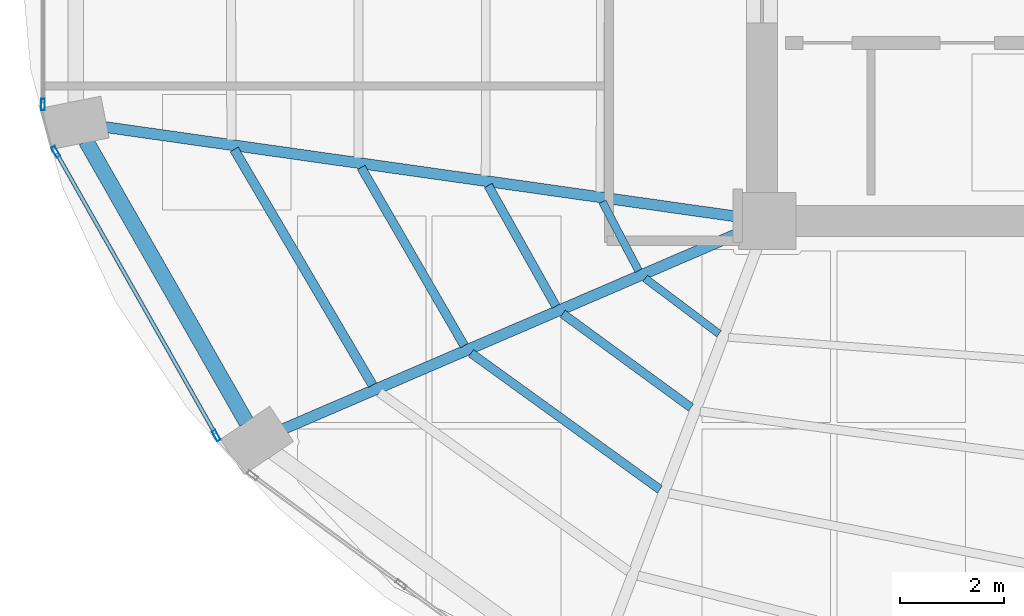
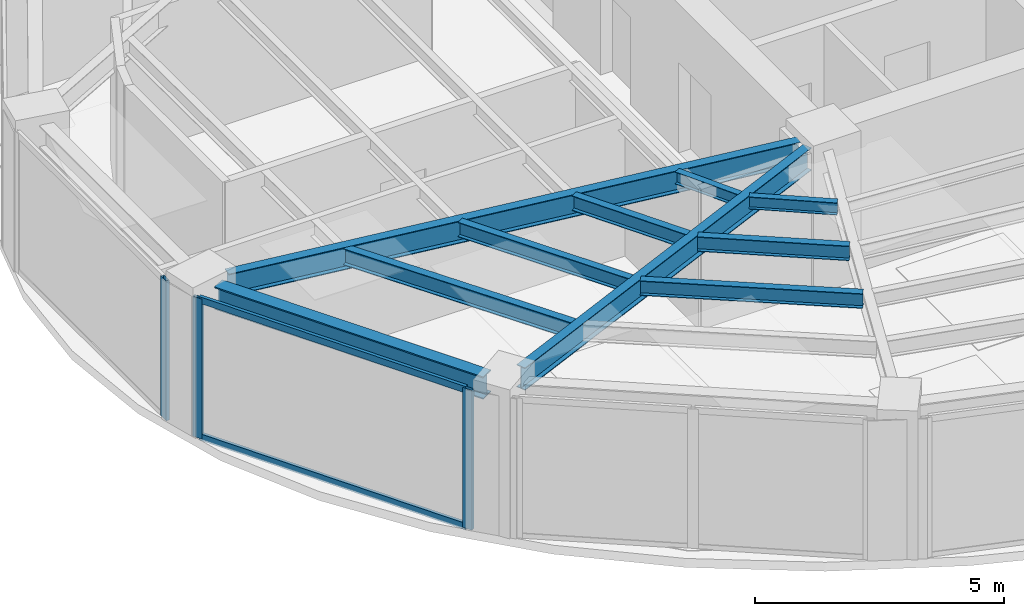
# One storey, part 3 of 19: 10 beams, 5 members, 2 elements without a shape of their own.
"""IFC4 building model written with IfcOpenShell, lengths in metres."""

from ifc_helpers import new_model, si_unit, direction, frame, origin, origin_2d, place, context, subcontext, project, spatial, hollow_rectangle, i_section, extrude, material, layer, layer_set, material_profile, profile_set, type_object, element, aggregate, save


model = new_model("IFC4")

# Units and contexts
model_context = context("Model", 3, precision=1e-05, world=origin(), true_north=direction((0.0, 1.0)))
body_context = subcontext(model_context, "Body", "Model", "MODEL_VIEW")
ifc_project = project(units=[si_unit("LENGTHUNIT", "METRE"), si_unit("AREAUNIT", "SQUARE_METRE"), si_unit("VOLUMEUNIT", "CUBIC_METRE"), si_unit("PLANEANGLEUNIT", "RADIAN"), si_unit("MASSUNIT", "GRAM", prefix="KILO")], contexts=[model_context])

# Site, building, storey
site_placement = place(None, origin())
site = spatial("IfcSite", under=ifc_project, at=site_placement, CompositionType="ELEMENT")
building_placement = place(site_placement, origin())
building = spatial("IfcBuilding", under=site, at=building_placement, Name="Lazwardi Medical Tower", CompositionType="ELEMENT")
storey_placement = place(building_placement, frame((0.0, 0.0, 163.823974609375)))
storey = spatial("IfcBuildingStorey", under=building, at=storey_placement, Name="L42", CompositionType="ELEMENT", Elevation=163.823974609375)

# Beams
ifc_material_1 = material(Name="Steel S355", Category="steel")
ifc_material_profile_1 = material_profile(ifc_material_1, i_section(OverallWidth=0.300048828125, OverallDepth=0.550048828125, WebThickness=0.014892578125, FlangeThickness=0.029052734375, at=origin_2d()), Name="HEB 550")
ifc_profile_set_1 = profile_set([ifc_material_profile_1], Name="Steel S355")
beam_type_1 = type_object("IfcBeamType", Name="BM-RB-Z3", PredefinedType="BEAM", material=ifc_profile_set_1)
beam_1_placement = place(storey_placement, frame((13.272216796875, 21.94091796875, 3.153076171875), z_axis=(0.495460926326, -0.868630226554, 0.0), x_axis=(0.868630226554, 0.495460926326, 0.0)))
element("IfcBeam", 1, at=beam_1_placement, inside=storey, type_object=beam_type_1, Name="Ring beam RB-04 B13 L42", PredefinedType="BEAM", context=body_context, shape_type="SweptSolid", body=[
    extrude(i_section(OverallWidth=0.300048828125, OverallDepth=0.550048828125, WebThickness=0.014892578125, FlangeThickness=0.029052734375, at=origin_2d()), origin(), (0.0, 0.0, 1.0), 6.24462890625),
])
ifc_material_profile_2 = material_profile(ifc_material_1, i_section(OverallWidth=0.2099609375, OverallDepth=0.550048828125, WebThickness=0.010986328125, FlangeThickness=0.01708984375, at=origin_2d()), Name="IPE 550")
ifc_profile_set_2 = profile_set([ifc_material_profile_2], Name="Steel S355")
beam_type_2 = type_object("IfcBeamType", Name="BM-RG-W2", PredefinedType="BEAM", material=ifc_profile_set_2)
beam_2_placement = place(storey_placement, frame((13.628662109375, 22.209716796875, 3.153076171875), z_axis=(0.99010958763, -0.140296131389, 0.0), x_axis=(0.140296131389, 0.99010958763, 0.0)))
element("IfcBeam", 2, at=beam_2_placement, inside=storey, type_object=beam_type_2, Name="Radial girder RG-03 R13 L42", PredefinedType="BEAM", context=body_context, shape_type="SweptSolid", body=[
    extrude(i_section(OverallWidth=0.2099609375, OverallDepth=0.550048828125, WebThickness=0.010986328125, FlangeThickness=0.01708984375, at=origin_2d()), origin(), (0.0, 0.0, 1.0), 12.364013671875),
])
beam_3_placement = place(storey_placement, frame((17.078857421875, 16.390380859375, 3.153076171875), z_axis=(0.918608156288, 0.395169653695, 0.0), x_axis=(-0.395169653695, 0.918608156288, 0.0)))
element("IfcBeam", 3, at=beam_3_placement, inside=storey, type_object=beam_type_2, Name="Radial girder RG-03 R14 L42", PredefinedType="BEAM", context=body_context, shape_type="SweptSolid", body=[
    extrude(i_section(OverallWidth=0.2099609375, OverallDepth=0.550048828125, WebThickness=0.010986328125, FlangeThickness=0.01708984375, at=origin_2d()), origin(), (0.0, 0.0, 1.0), 9.61181640625),
])
ifc_material_profile_3 = material_profile(ifc_material_1, i_section(OverallWidth=0.179931640625, OverallDepth=0.39990234375, WebThickness=0.008544921875, FlangeThickness=0.013427734375, at=origin_2d()), Name="IPE 400")
ifc_profile_set_3 = profile_set([ifc_material_profile_3], Name="Steel S355")
beam_type_3 = type_object("IfcBeamType", Name="BM-SJ-01", PredefinedType="JOIST", material=ifc_profile_set_3)
beam_4_placement = place(storey_placement, frame((16.127685546875, 21.776611328125, 3.22802734375), z_axis=(0.506420212881, -0.862286824662, 0.0), x_axis=(0.862286824662, 0.506420212881, 0.0)))
element("IfcBeam", 4, at=beam_4_placement, inside=storey, type_object=beam_type_3, Name="Secondary joist SJ-01 R1 B13 L42", PredefinedType="JOIST", context=body_context, shape_type="SweptSolid", body=[
    extrude(i_section(OverallWidth=0.179931640625, OverallDepth=0.39990234375, WebThickness=0.008544921875, FlangeThickness=0.013427734375, at=origin_2d()), origin(), (0.0, 0.0, 1.0), 5.265380859375),
])
ifc_material_profile_4 = material_profile(ifc_material_1, i_section(OverallWidth=0.169921875, OverallDepth=0.360107421875, WebThickness=0.008056640625, FlangeThickness=0.0126953125, at=origin_2d()), Name="IPE 360")
ifc_profile_set_4 = profile_set([ifc_material_profile_4], Name="Steel S355")
beam_type_4 = type_object("IfcBeamType", Name="BM-SJ-02", PredefinedType="JOIST", material=ifc_profile_set_4)
beam_5_placement = place(storey_placement, frame((18.5751953125, 21.42919921875, 3.248046875), z_axis=(0.500640648605, -0.865655209055, 0.0), x_axis=(0.865655209055, 0.500640648605, 0.0)))
element("IfcBeam", 5, at=beam_5_placement, inside=storey, type_object=beam_type_4, Name="Secondary joist SJ-02 R2 B13 L42", PredefinedType="JOIST", context=body_context, shape_type="SweptSolid", body=[
    extrude(i_section(OverallWidth=0.169921875, OverallDepth=0.360107421875, WebThickness=0.008056640625, FlangeThickness=0.0126953125, at=origin_2d()), origin(), (0.0, 0.0, 1.0), 3.965576171875),
])
beam_6_placement = place(storey_placement, frame((20.69189453125, 17.851318359375, 3.248046875), z_axis=(0.810738039179, -0.585409114917, 0.0), x_axis=(0.585409114917, 0.810738039179, 0.0)))
element("IfcBeam", 6, at=beam_6_placement, inside=storey, type_object=beam_type_4, Name="Secondary joist SJ-02 R2 B14 L42", PredefinedType="JOIST", context=body_context, shape_type="SweptSolid", body=[
    extrude(i_section(OverallWidth=0.169921875, OverallDepth=0.360107421875, WebThickness=0.008056640625, FlangeThickness=0.0126953125, at=origin_2d()), origin(), (0.0, 0.0, 1.0), 4.48779296875),
])
beam_7_placement = place(storey_placement, frame((21.022705078125, 21.081787109375, 3.248046875), z_axis=(0.489408945026, -0.872054404569, 0.0), x_axis=(0.872054404569, 0.489408945026, 0.0)))
element("IfcBeam", 7, at=beam_7_placement, inside=storey, type_object=beam_type_4, Name="Secondary joist SJ-02 R3 B13 L42", PredefinedType="JOIST", context=body_context, shape_type="SweptSolid", body=[
    extrude(i_section(OverallWidth=0.169921875, OverallDepth=0.360107421875, WebThickness=0.008056640625, FlangeThickness=0.0126953125, at=origin_2d()), origin(), (0.0, 0.0, 1.0), 2.666259765625),
])
beam_8_placement = place(storey_placement, frame((22.45751953125, 18.6103515625, 3.248046875), z_axis=(0.807285959008, -0.590160470033, 0.0), x_axis=(0.590160470033, 0.807285959008, 0.0)))
element("IfcBeam", 8, at=beam_8_placement, inside=storey, type_object=beam_type_4, Name="Secondary joist SJ-02 R3 B14 L42", PredefinedType="JOIST", context=body_context, shape_type="SweptSolid", body=[
    extrude(i_section(OverallWidth=0.169921875, OverallDepth=0.360107421875, WebThickness=0.008056640625, FlangeThickness=0.0126953125, at=origin_2d()), origin(), (0.0, 0.0, 1.0), 3.06298828125),
])
ifc_material_profile_5 = material_profile(ifc_material_1, i_section(OverallWidth=0.14990234375, OverallDepth=0.300048828125, WebThickness=0.007080078125, FlangeThickness=0.0107421875, at=origin_2d()), Name="IPE 300")
ifc_profile_set_5 = profile_set([ifc_material_profile_5], Name="Steel S355")
beam_type_5 = type_object("IfcBeamType", Name="BM-SJ-03", PredefinedType="JOIST", material=ifc_profile_set_5)
beam_9_placement = place(storey_placement, frame((23.2236328125, 20.768310546875, 3.278076171875), z_axis=(0.464469748171, -0.885588986513, 0.0), x_axis=(0.885588986513, 0.464469748171, 0.0)))
element("IfcBeam", 9, at=beam_9_placement, inside=storey, type_object=beam_type_5, Name="Secondary joist SJ-03 R4 B13 L42", PredefinedType="JOIST", context=body_context, shape_type="SweptSolid", body=[
    extrude(i_section(OverallWidth=0.14990234375, OverallDepth=0.300048828125, WebThickness=0.007080078125, FlangeThickness=0.0107421875, at=origin_2d()), origin(), (0.0, 0.0, 1.0), 1.498046875),
])
beam_10_placement = place(storey_placement, frame((24.0458984375, 19.29296875, 3.278076171875), z_axis=(0.799884834751, -0.600153522972, 0.0), x_axis=(0.600153522972, 0.799884834751, 0.0)))
element("IfcBeam", 10, at=beam_10_placement, inside=storey, type_object=beam_type_5, Name="Secondary joist SJ-03 R4 B14 L42", PredefinedType="JOIST", context=body_context, shape_type="SweptSolid", body=[
    extrude(i_section(OverallWidth=0.14990234375, OverallDepth=0.300048828125, WebThickness=0.007080078125, FlangeThickness=0.0107421875, at=origin_2d()), origin(), (0.0, 0.0, 1.0), 1.781005859375),
])

# Curtain wall, member
ifc_material_2 = material(Name="Anodised bronze aluminium and solar control glazing", Category="aluminium")
ifc_layer = layer(ifc_material_2, 0.195068359375)
ifc_layer_set = layer_set([ifc_layer], Name="Anodised bronze aluminium and solar control glazing")
curtain_wall_type = type_object("IfcCurtainWallType", Name="CW-SYS-03", PredefinedType="NOTDEFINED", material=ifc_layer_set)
curtain_wall_1_placement = place(storey_placement, origin())
curtain_wall_1 = element("IfcCurtainWall", 11, at=curtain_wall_1_placement, inside=storey, type_object=curtain_wall_type, Name="L42 Unitised bronze curtain wall CW-03", PredefinedType="NOTDEFINED")
ifc_material_3 = material(Name="Anodised bronze aluminium", Category="aluminium")
ifc_material_profile_6 = material_profile(ifc_material_3, hollow_rectangle(XDim=0.074951171875, YDim=0.219970703125, WallThickness=0.00390625, at=origin_2d()), Name="ALU-MULLION 220x75x4")
ifc_profile_set_6 = profile_set([ifc_material_profile_6], Name="Anodised bronze aluminium")
member_type_1 = type_object("IfcMemberType", Name="CW-MUL-01", PredefinedType="MULLION", material=ifc_profile_set_6)
member_1_placement = place(storey_placement, frame((12.4423828125, 22.64208984375, 0.0), z_axis=(0.0, 0.0, 1.0), x_axis=(1.0, 0.0, 0.0)))
member_1 = element("IfcMember", 12, at=member_1_placement, type_object=member_type_1, Name="CW-03 mullion 2", PredefinedType="MULLION", context=body_context, shape_type="SweptSolid", body=[
    extrude(hollow_rectangle(XDim=0.074951171875, YDim=0.219970703125, WallThickness=0.00390625, at=origin_2d()), origin(), (0.0, 0.0, 1.0), 3.427978515625),
])
aggregate(curtain_wall_1, [member_1])

# Curtain wall, members
curtain_wall_2_placement = place(storey_placement, origin())
curtain_wall_2 = element("IfcCurtainWall", 13, at=curtain_wall_2_placement, inside=storey, type_object=curtain_wall_type, Name="L42 Unitised bronze curtain wall CW-03", PredefinedType="NOTDEFINED")
member_2_placement = place(storey_placement, frame((12.68896484375, 21.732666015625, 0.0), z_axis=(0.0, 0.0, 1.0), x_axis=(0.870418989303, 0.492311672683, 0.0)))
member_2 = element("IfcMember", 14, at=member_2_placement, type_object=member_type_1, Name="CW-03 mullion 1", PredefinedType="MULLION", context=body_context, shape_type="SweptSolid", body=[
    extrude(hollow_rectangle(XDim=0.074951171875, YDim=0.219970703125, WallThickness=0.00390625, at=origin_2d()), origin(), (0.0, 0.0, 1.0), 3.427978515625),
])
member_3_placement = place(storey_placement, frame((15.782470703125, 16.26318359375, 0.0), z_axis=(0.0, 0.0, 1.0), x_axis=(0.870418989303, 0.492311672683, 0.0)))
member_3 = element("IfcMember", 15, at=member_3_placement, type_object=member_type_1, Name="CW-03 mullion 2", PredefinedType="MULLION", context=body_context, shape_type="SweptSolid", body=[
    extrude(hollow_rectangle(XDim=0.074951171875, YDim=0.219970703125, WallThickness=0.00390625, at=origin_2d()), origin(), (0.0, 0.0, 1.0), 3.427978515625),
])
ifc_material_profile_7 = material_profile(ifc_material_3, hollow_rectangle(XDim=0.074951171875, YDim=0.159912109375, WallThickness=0.00390625, at=origin_2d()), Name="ALU-TRANSOM 160x75x4")
ifc_profile_set_7 = profile_set([ifc_material_profile_7], Name="Anodised bronze aluminium")
member_type_2 = type_object("IfcMemberType", Name="CW-TRN-01", PredefinedType="USERDEFINED", material=ifc_profile_set_7)
member_4_placement = place(storey_placement, frame((12.707275390625, 21.7001953125, 0.03759765625), z_axis=(0.492306010269, -0.870422191958, 0.0), x_axis=(0.870422191958, 0.492306010269, 0.0)))
member_4 = element("IfcMember", 16, at=member_4_placement, type_object=member_type_2, Name="CW-03 transom 1.1", ObjectType="TRANSOM", PredefinedType="USERDEFINED", context=body_context, shape_type="SweptSolid", body=[
    extrude(hollow_rectangle(XDim=0.074951171875, YDim=0.159912109375, WallThickness=0.00390625, at=origin_2d()), origin(), (0.0, 0.0, 1.0), 6.208740234375),
])
member_5_placement = place(storey_placement, frame((12.707275390625, 21.7001953125, 3.390625), z_axis=(0.492306010269, -0.870422191958, 0.0), x_axis=(0.870422191958, 0.492306010269, 0.0)))
member_5 = element("IfcMember", 17, at=member_5_placement, type_object=member_type_2, Name="CW-03 transom 1.2", ObjectType="TRANSOM", PredefinedType="USERDEFINED", context=body_context, shape_type="SweptSolid", body=[
    extrude(hollow_rectangle(XDim=0.074951171875, YDim=0.159912109375, WallThickness=0.00390625, at=origin_2d()), origin(), (0.0, 0.0, 1.0), 6.208740234375),
])
aggregate(curtain_wall_2, [member_2, member_3, member_4, member_5])

save(model, "model.ifc")
